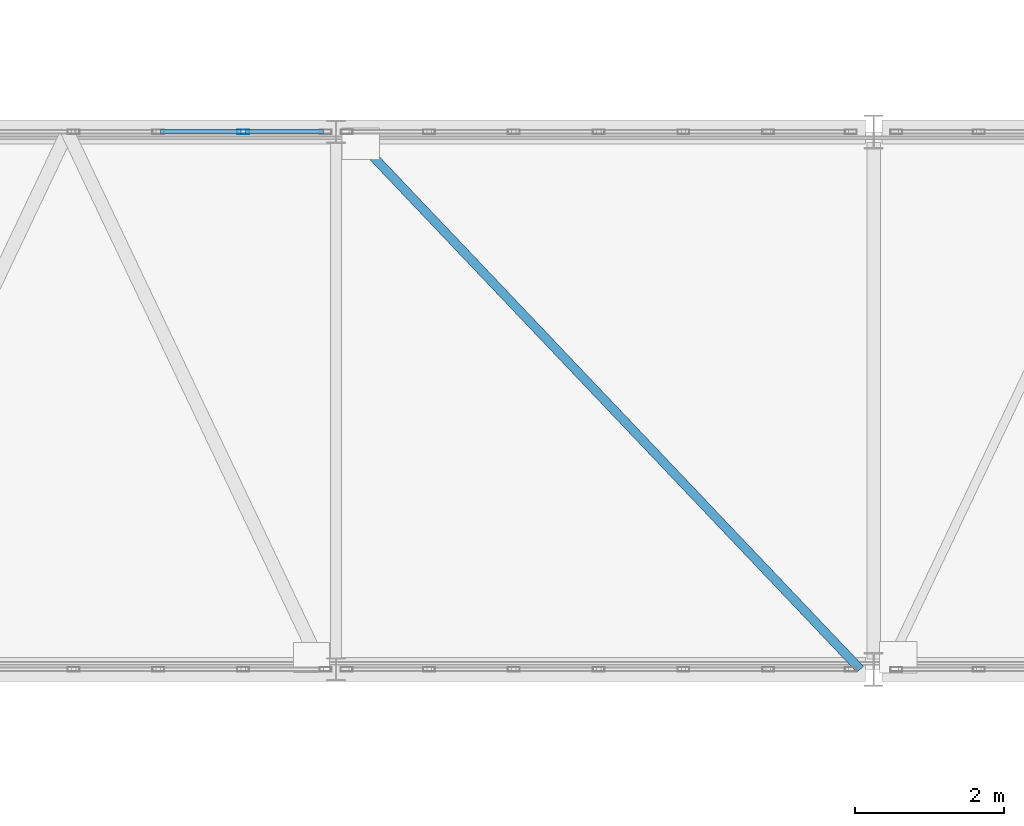
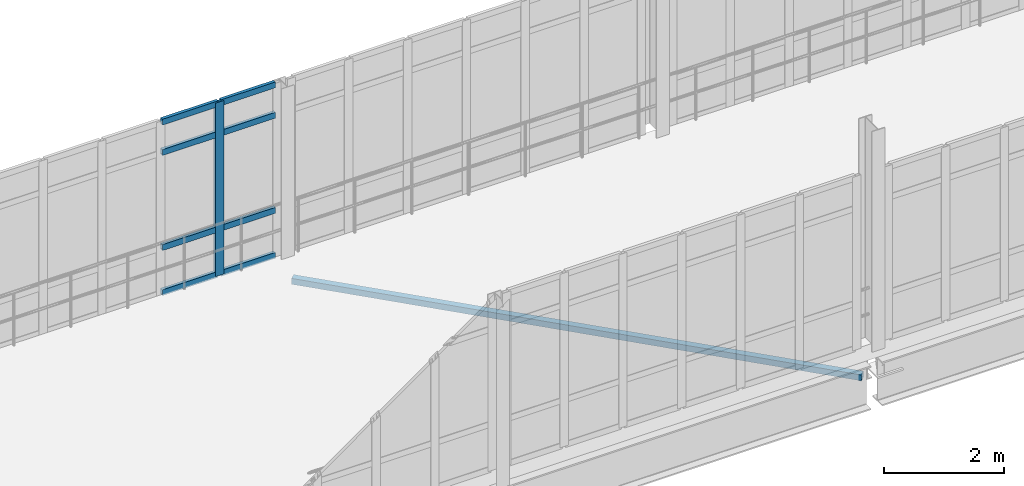
# One storey, part 26 of 124: 10 members, 1 element without a shape of its own.
"""IFC4 building model written with IfcOpenShell, lengths in metres."""

from ifc_helpers import new_model, si_unit, direction, frame, origin, origin_2d, place, context, subcontext, project, spatial, hollow_rectangle, extrude, material, material_profile, profile_set, type_object, element, aggregate, save


model = new_model("IFC4")

# Units and contexts
model_context = context("Model", 3, precision=1e-05, world=origin(), true_north=direction((0.0, 1.0)))
body_context = subcontext(model_context, "Body", "Model", "MODEL_VIEW")
ifc_project = project(units=[si_unit("LENGTHUNIT", "METRE"), si_unit("AREAUNIT", "SQUARE_METRE"), si_unit("VOLUMEUNIT", "CUBIC_METRE"), si_unit("PLANEANGLEUNIT", "RADIAN"), si_unit("MASSUNIT", "GRAM", prefix="KILO")], contexts=[model_context])

# Site, building, storey
site_placement = place(None, origin())
site = spatial("IfcSite", under=ifc_project, at=site_placement, CompositionType="ELEMENT")
building_placement = place(site_placement, origin())
building = spatial("IfcBuilding", under=site, at=building_placement, Name="Kalluvel Institute of Natural Sciences", CompositionType="ELEMENT")
storey_placement = place(building_placement, frame((0.0, 0.0, 9.89990234375)))
storey = spatial("IfcBuildingStorey", under=building, at=storey_placement, Name="L02", CompositionType="ELEMENT", Elevation=9.89990234375)

# Curtain wall, members
ifc_material_1 = material(Name="Aluminium AW-6063 T6", Category="aluminium")
curtain_wall_type = type_object("IfcCurtainWallType", Name="CW-BRG-45", PredefinedType="USERDEFINED", material=ifc_material_1)
curtain_wall_placement = place(storey_placement, origin())
curtain_wall = element("IfcCurtainWall", 1, at=curtain_wall_placement, inside=storey, type_object=curtain_wall_type, Name="L02 Gothic lancet curtain wall CWA-L02-X647-Y356", ObjectType="UNITISED LANCET FACADE", PredefinedType="USERDEFINED")
ifc_material_profile_1 = material_profile(ifc_material_1, hollow_rectangle(XDim=0.06005859375, YDim=0.159912109375, WallThickness=0.00390625, at=origin_2d()), Name="CWM 60x160")
ifc_profile_set_1 = profile_set([ifc_material_profile_1], Name="Aluminium AW-6063 T6")
member_type_1 = type_object("IfcMemberType", Name="CWM-60x160", PredefinedType="MULLION", material=ifc_profile_set_1)
member_1_placement = place(storey_placement, frame((70.354248046875, 35.60009765625, 0.0), z_axis=(0.0, 0.0, 1.0), x_axis=(0.0, 1.0, 0.0)))
member_1 = element("IfcMember", 2, at=member_1_placement, type_object=member_type_1, Name="CW-07 mullion 6", PredefinedType="MULLION", context=body_context, shape_type="SweptSolid", body=[
    extrude(hollow_rectangle(XDim=0.06005859375, YDim=0.159912109375, WallThickness=0.00390625, at=origin_2d()), origin(), (0.0, 0.0, 1.0), 3.5400390625),
])
ifc_material_profile_2 = material_profile(ifc_material_1, hollow_rectangle(XDim=0.06005859375, YDim=0.1201171875, WallThickness=0.00390625, at=origin_2d()), Name="CWT 60x120")
ifc_profile_set_2 = profile_set([ifc_material_profile_2], Name="Aluminium AW-6063 T6")
member_type_2 = type_object("IfcMemberType", Name="CWT-60x120", PredefinedType="USERDEFINED", material=ifc_profile_set_2)
member_2_placement = place(storey_placement, frame((69.248291015625, 35.60009765625, 0.030029296875), z_axis=(1.0, 0.0, 0.0), x_axis=(0.0, 1.0, 0.0)))
member_2 = element("IfcMember", 3, at=member_2_placement, type_object=member_type_2, Name="CW-07 transom 5.1", ObjectType="TRANSOM", PredefinedType="USERDEFINED", context=body_context, shape_type="SweptSolid", body=[
    extrude(hollow_rectangle(XDim=0.06005859375, YDim=0.1201171875, WallThickness=0.00390625, at=origin_2d()), origin(), (0.0, 0.0, 1.0), 1.075927734375),
])
member_3_placement = place(storey_placement, frame((69.248291015625, 35.60009765625, 0.9501953125), z_axis=(1.0, 0.0, 0.0), x_axis=(0.0, 1.0, 0.0)))
member_3 = element("IfcMember", 4, at=member_3_placement, type_object=member_type_2, Name="CW-07 transom 5.2", ObjectType="TRANSOM", PredefinedType="USERDEFINED", context=body_context, shape_type="SweptSolid", body=[
    extrude(hollow_rectangle(XDim=0.06005859375, YDim=0.1201171875, WallThickness=0.00390625, at=origin_2d()), origin(), (0.0, 0.0, 1.0), 1.075927734375),
])
member_4_placement = place(storey_placement, frame((69.248291015625, 35.60009765625, 2.89013671875), z_axis=(1.0, 0.0, 0.0), x_axis=(0.0, 1.0, 0.0)))
member_4 = element("IfcMember", 5, at=member_4_placement, type_object=member_type_2, Name="CW-07 transom 5.3", ObjectType="TRANSOM", PredefinedType="USERDEFINED", context=body_context, shape_type="SweptSolid", body=[
    extrude(hollow_rectangle(XDim=0.06005859375, YDim=0.1201171875, WallThickness=0.00390625, at=origin_2d()), origin(), (0.0, 0.0, 1.0), 1.075927734375),
])
member_5_placement = place(storey_placement, frame((69.248291015625, 35.60009765625, 3.510009765625), z_axis=(1.0, 0.0, 0.0), x_axis=(0.0, 1.0, 0.0)))
member_5 = element("IfcMember", 6, at=member_5_placement, type_object=member_type_2, Name="CW-07 transom 5.4", ObjectType="TRANSOM", PredefinedType="USERDEFINED", context=body_context, shape_type="SweptSolid", body=[
    extrude(hollow_rectangle(XDim=0.06005859375, YDim=0.1201171875, WallThickness=0.00390625, at=origin_2d()), origin(), (0.0, 0.0, 1.0), 1.075927734375),
])
member_6_placement = place(storey_placement, frame((70.38427734375, 35.60009765625, 0.030029296875), z_axis=(1.0, 0.0, 0.0), x_axis=(0.0, 1.0, 0.0)))
member_6 = element("IfcMember", 7, at=member_6_placement, type_object=member_type_2, Name="CW-07 transom 6.1", ObjectType="TRANSOM", PredefinedType="USERDEFINED", context=body_context, shape_type="SweptSolid", body=[
    extrude(hollow_rectangle(XDim=0.06005859375, YDim=0.1201171875, WallThickness=0.00390625, at=origin_2d()), origin(), (0.0, 0.0, 1.0), 1.045654296875),
])
member_7_placement = place(storey_placement, frame((70.38427734375, 35.60009765625, 0.9501953125), z_axis=(1.0, 0.0, 0.0), x_axis=(0.0, 1.0, 0.0)))
member_7 = element("IfcMember", 8, at=member_7_placement, type_object=member_type_2, Name="CW-07 transom 6.2", ObjectType="TRANSOM", PredefinedType="USERDEFINED", context=body_context, shape_type="SweptSolid", body=[
    extrude(hollow_rectangle(XDim=0.06005859375, YDim=0.1201171875, WallThickness=0.00390625, at=origin_2d()), origin(), (0.0, 0.0, 1.0), 1.045654296875),
])
member_8_placement = place(storey_placement, frame((70.38427734375, 35.60009765625, 2.89013671875), z_axis=(1.0, 0.0, 0.0), x_axis=(0.0, 1.0, 0.0)))
member_8 = element("IfcMember", 9, at=member_8_placement, type_object=member_type_2, Name="CW-07 transom 6.3", ObjectType="TRANSOM", PredefinedType="USERDEFINED", context=body_context, shape_type="SweptSolid", body=[
    extrude(hollow_rectangle(XDim=0.06005859375, YDim=0.1201171875, WallThickness=0.00390625, at=origin_2d()), origin(), (0.0, 0.0, 1.0), 1.045654296875),
])
member_9_placement = place(storey_placement, frame((70.38427734375, 35.60009765625, 3.510009765625), z_axis=(1.0, 0.0, 0.0), x_axis=(0.0, 1.0, 0.0)))
member_9 = element("IfcMember", 10, at=member_9_placement, type_object=member_type_2, Name="CW-07 transom 6.4", ObjectType="TRANSOM", PredefinedType="USERDEFINED", context=body_context, shape_type="SweptSolid", body=[
    extrude(hollow_rectangle(XDim=0.06005859375, YDim=0.1201171875, WallThickness=0.00390625, at=origin_2d()), origin(), (0.0, 0.0, 1.0), 1.045654296875),
])
aggregate(curtain_wall, [member_1, member_2, member_3, member_4, member_5, member_6, member_7, member_8, member_9])

# Member
ifc_material_2 = material(Name="Steel E350 Grade 350", Category="steel")
ifc_material_profile_3 = material_profile(ifc_material_2, hollow_rectangle(XDim=0.1201171875, YDim=0.1201171875, WallThickness=0.006103515625, at=origin_2d()), Name="SHS 120x120x6")
ifc_profile_set_3 = profile_set([ifc_material_profile_3], Name="Steel E350 Grade 350")
member_type_3 = type_object("IfcMemberType", Name="MB-BR-SHS120", PredefinedType="BRACE", material=ifc_profile_set_3)
member_10_placement = place(storey_placement, frame((71.780029296875, 35.60009765625, -0.599853515625), z_axis=(0.688744293312, -0.725004343732, 0.0), x_axis=(0.725004343732, 0.688744293312, 0.0)))
element("IfcMember", 11, at=member_10_placement, inside=storey, type_object=member_type_3, Name="L02 link bridge horizontal plan brace L02-06-1", PredefinedType="BRACE", context=body_context, shape_type="SweptSolid", body=[
    extrude(hollow_rectangle(XDim=0.1201171875, YDim=0.1201171875, WallThickness=0.006103515625, at=origin_2d()), origin(), (0.0, 0.0, 1.0), 9.93115234375),
])

save(model, "model.ifc")
